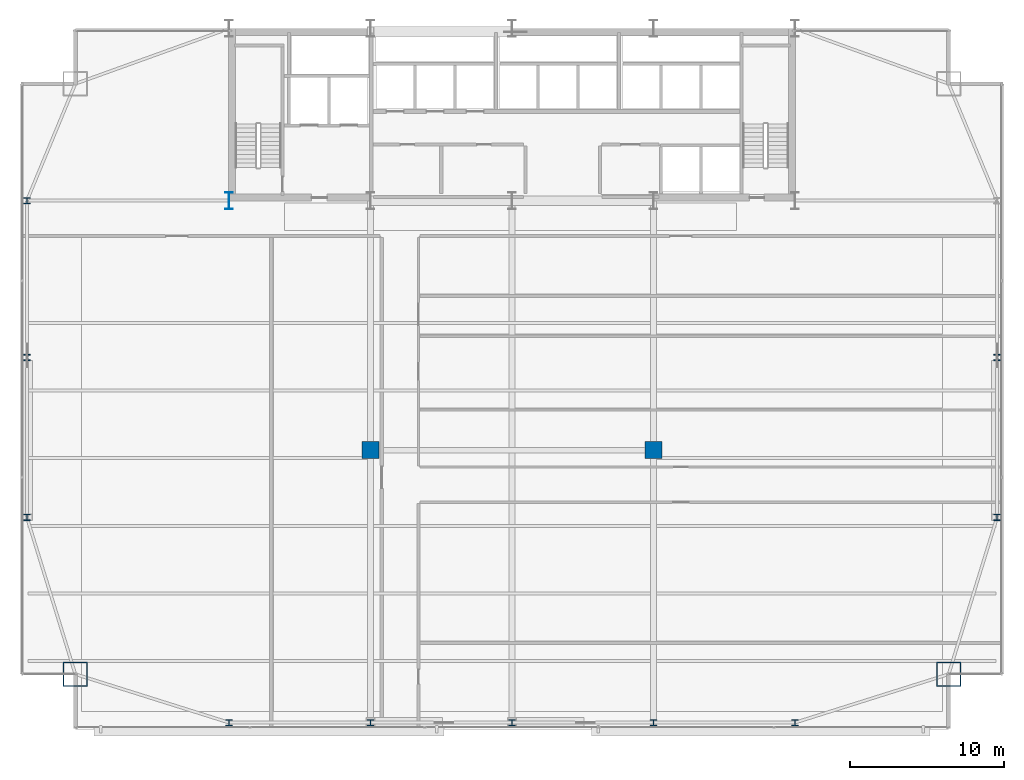
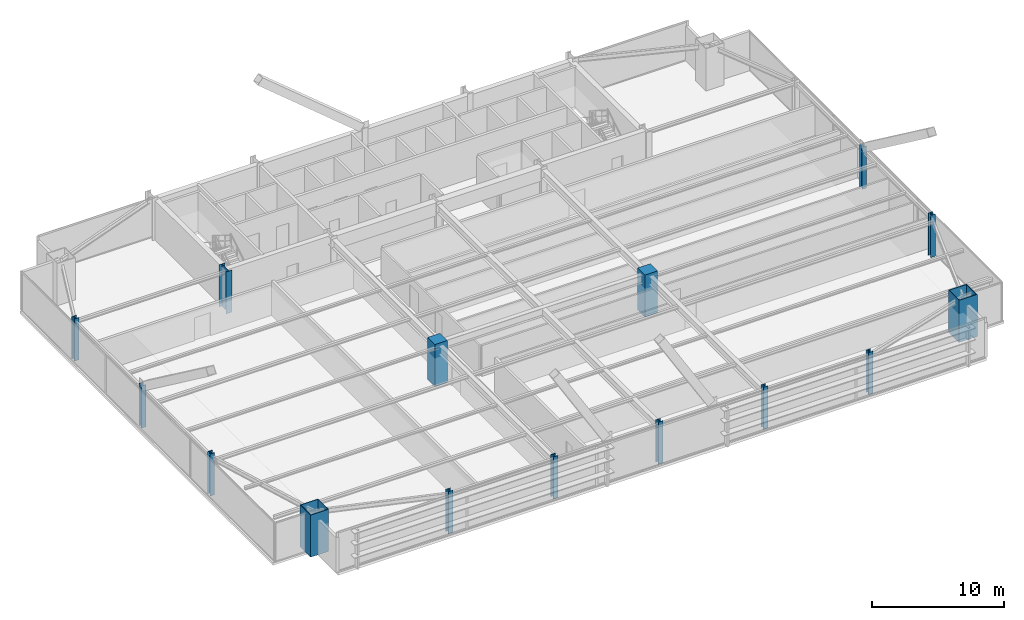
# One storey, part 1 of 35: 15 columns.
"""IFC4 building model written with IfcOpenShell, lengths in metres."""

from ifc_helpers import new_model, si_unit, direction, frame, origin, origin_2d, place, context, subcontext, project, spatial, rectangle, hollow_rectangle, i_section, extrude, source, transform, mapped, material, material_profile, profile_set, type_object, type_shapes, element, save


model = new_model("IFC4")

# Units and contexts
model_context = context("Model", 3, precision=1e-05, world=origin(), true_north=direction((0.0, 1.0)))
body_context = subcontext(model_context, "Body", "Model", "MODEL_VIEW")
ifc_project = project(units=[si_unit("LENGTHUNIT", "METRE"), si_unit("AREAUNIT", "SQUARE_METRE"), si_unit("VOLUMEUNIT", "CUBIC_METRE"), si_unit("PLANEANGLEUNIT", "RADIAN"), si_unit("MASSUNIT", "GRAM", prefix="KILO")], contexts=[model_context])

# Site, building, storey
site_placement = place(None, origin())
site = spatial("IfcSite", under=ifc_project, at=site_placement, CompositionType="ELEMENT")
building_placement = place(site_placement, origin())
building = spatial("IfcBuilding", under=site, at=building_placement, Name="Varnel Quay Broadcast Tower", CompositionType="ELEMENT")
storey_placement = place(building_placement, frame((0.0, 0.0, 31.5)))
storey = spatial("IfcBuildingStorey", under=building, at=storey_placement, Name="L06", CompositionType="ELEMENT", Elevation=31.5)

# Columns
ifc_material_1 = material(Name="Structural Steel CSA G40.21 350WT", Category="steel")
ifc_material_profile_1 = material_profile(ifc_material_1, i_section(OverallWidth=0.5, OverallDepth=1.10009765625, WebThickness=0.01806640625, FlangeThickness=0.031982421875, FilletRadius=0.01806640625, at=origin_2d()), Name="WWF1100X418")
ifc_profile_set_1 = profile_set([ifc_material_profile_1], Name="Structural Steel CSA G40.21 350WT")
column_type_1 = type_object("IfcColumnType", Name="Col_WWF1100X418", PredefinedType="COLUMN", material=ifc_profile_set_1)
shared_shape_1 = source(origin(), body_context, "Body", "SweptSolid", [
    extrude(i_section(OverallWidth=0.5, OverallDepth=1.10009765625, WebThickness=0.01806640625, FlangeThickness=0.031982421875, FilletRadius=0.01806640625, at=origin_2d()), origin(), (0.0, 0.0, 1.0), 3.89990234375),
])
type_shapes(column_type_1, [shared_shape_1])
column_placement = place(storey_placement, frame((15.60009765625, 35.60009765625, 0.0), z_axis=(0.0, 0.0, 1.0), x_axis=(1.0, 0.0, 0.0)))
element("IfcColumn", 1, at=column_placement, inside=storey, type_object=column_type_1, Name="L06 Column CC-S1", PredefinedType="COLUMN", context=body_context, shape_type="MappedRepresentation", body=[
    mapped(shared_shape_1, transform((0.0, 0.0, 0.0), x_axis=(1.0, 0.0, 0.0), y_axis=(0.0, 1.0, 0.0), z_axis=(0.0, 0.0, 1.0), scale=1.0)),
])
ifc_material_profile_2 = material_profile(ifc_material_1, hollow_rectangle(XDim=1.60009765625, YDim=1.60009765625, WallThickness=0.06005859375, at=origin_2d()), Name="BOX1600X1600X60")
ifc_profile_set_2 = profile_set([ifc_material_profile_2], Name="Structural Steel CSA G40.21 350WT")
column_type_2 = type_object("IfcColumnType", Name="Col_BOX1600X1600X60", PredefinedType="COLUMN", material=ifc_profile_set_2)
shared_shape_2 = source(origin(), body_context, "Body", "SweptSolid", [
    extrude(hollow_rectangle(XDim=1.60009765625, YDim=1.60009765625, WallThickness=0.06005859375, at=origin_2d()), origin(), (0.0, 0.0, 1.0), 3.89990234375),
])
type_shapes(column_type_2, [shared_shape_2])
for number, where, z_axis, x_axis, name in (
    (2, (5.60009765625, 4.800048828125, 0.0), (0.0, 0.0, 1.0), (1.0, 0.0, 0.0), "L06 Column MC-SW"),
    (3, (62.39990234375, 4.800048828125, 0.0), (0.0, 0.0, 1.0), (1.0, 0.0, 0.0), "L06 Column MC-SE"),
):
    element("IfcColumn", number, at=place(storey_placement, frame(where, z_axis=z_axis, x_axis=x_axis)), inside=storey, type_object=column_type_2, Name=name, PredefinedType="COLUMN", context=body_context, shape_type="MappedRepresentation", body=[
        mapped(shared_shape_2, transform((0.0, 0.0, 0.0), x_axis=(1.0, 0.0, 0.0), y_axis=(0.0, 1.0, 0.0), z_axis=(0.0, 0.0, 1.0), scale=1.0)),
    ])
ifc_material_2 = material(Name="Structural Steel CSA G40.21 350W", Category="steel")
ifc_material_profile_3 = material_profile(ifc_material_2, i_section(OverallWidth=0.404052734375, OverallDepth=0.406982421875, WebThickness=0.027099609375, FlangeThickness=0.043701171875, FilletRadius=0.01806640625, at=origin_2d()), Name="W360X347")
ifc_profile_set_3 = profile_set([ifc_material_profile_3], Name="Structural Steel CSA G40.21 350W")
column_type_3 = type_object("IfcColumnType", Name="Col_W360X347", PredefinedType="COLUMN", material=ifc_profile_set_3)
shared_shape_3 = source(origin(), body_context, "Body", "SweptSolid", [
    extrude(i_section(OverallWidth=0.404052734375, OverallDepth=0.406982421875, WebThickness=0.027099609375, FlangeThickness=0.043701171875, FilletRadius=0.01806640625, at=origin_2d()), origin(), (0.0, 0.0, 1.0), 3.89990234375),
])
type_shapes(column_type_3, [shared_shape_3])
for number, where, z_axis, x_axis, name in (
    (4, (15.60009765625, 1.64990234375, 0.0), (0.0, 0.0, 1.0), (1.0, 0.0, 0.0), "L06 Column TC-S1"),
    (5, (24.800048828125, 1.64990234375, 0.0), (0.0, 0.0, 1.0), (1.0, 0.0, 0.0), "L06 Column TC-S2"),
    (6, (34.0, 1.64990234375, 0.0), (0.0, 0.0, 1.0), (1.0, 0.0, 0.0), "L06 Column TC-S3"),
    (7, (43.199951171875, 1.64990234375, 0.0), (0.0, 0.0, 1.0), (1.0, 0.0, 0.0), "L06 Column TC-S4"),
    (8, (52.39990234375, 1.64990234375, 0.0), (0.0, 0.0, 1.0), (1.0, 0.0, 0.0), "L06 Column TC-S5"),
    (9, (2.449951171875, 15.0, 0.0), (0.0, 0.0, 1.0), (1.0, 0.0, 0.0), "L06 Column TC-W1"),
    (10, (65.550048828125, 15.0, 0.0), (0.0, 0.0, 1.0), (1.0, 0.0, 0.0), "L06 Column TC-E1"),
    (11, (2.449951171875, 25.39990234375, 0.0), (0.0, 0.0, 1.0), (1.0, 0.0, 0.0), "L06 Column TC-W2"),
    (12, (65.550048828125, 25.39990234375, 0.0), (0.0, 0.0, 1.0), (1.0, 0.0, 0.0), "L06 Column TC-E2"),
    (13, (2.449951171875, 35.60009765625, 0.0), (0.0, 0.0, 1.0), (1.0, 0.0, 0.0), "L06 Column TC-W3"),
):
    element("IfcColumn", number, at=place(storey_placement, frame(where, z_axis=z_axis, x_axis=x_axis)), inside=storey, type_object=column_type_3, Name=name, PredefinedType="COLUMN", context=body_context, shape_type="MappedRepresentation", body=[
        mapped(shared_shape_3, transform((0.0, 0.0, 0.0), x_axis=(1.0, 0.0, 0.0), y_axis=(0.0, 1.0, 0.0), z_axis=(0.0, 0.0, 1.0), scale=1.0)),
    ])
ifc_material_3 = material(Name="Concrete CSA A23.3 C60/75", Category="concrete")
ifc_material_profile_4 = material_profile(ifc_material_3, rectangle(XDim=1.10009765625, YDim=1.10009765625, at=origin_2d()), Name="RC1100X1100")
ifc_profile_set_4 = profile_set([ifc_material_profile_4], Name="Concrete CSA A23.3 C60/75")
column_type_4 = type_object("IfcColumnType", Name="Col_RC1100X1100", PredefinedType="COLUMN", material=ifc_profile_set_4)
shared_shape_4 = source(origin(), body_context, "Body", "SweptSolid", [
    extrude(rectangle(XDim=1.10009765625, YDim=1.10009765625, at=origin_2d()), origin(), (0.0, 0.0, 1.0), 3.89990234375),
])
type_shapes(column_type_4, [shared_shape_4])
for number, where, z_axis, x_axis, name in (
    (14, (24.800048828125, 19.3701171875, 0.0), (0.0, 0.0, 1.0), (1.0, 0.0, 0.0), "L06 Column IC-01"),
    (15, (43.199951171875, 19.3701171875, 0.0), (0.0, 0.0, 1.0), (1.0, 0.0, 0.0), "L06 Column IC-02"),
):
    element("IfcColumn", number, at=place(storey_placement, frame(where, z_axis=z_axis, x_axis=x_axis)), inside=storey, type_object=column_type_4, Name=name, PredefinedType="COLUMN", context=body_context, shape_type="MappedRepresentation", body=[
        mapped(shared_shape_4, transform((0.0, 0.0, 0.0), x_axis=(1.0, 0.0, 0.0), y_axis=(0.0, 1.0, 0.0), z_axis=(0.0, 0.0, 1.0), scale=1.0)),
    ])

save(model, "model.ifc")
